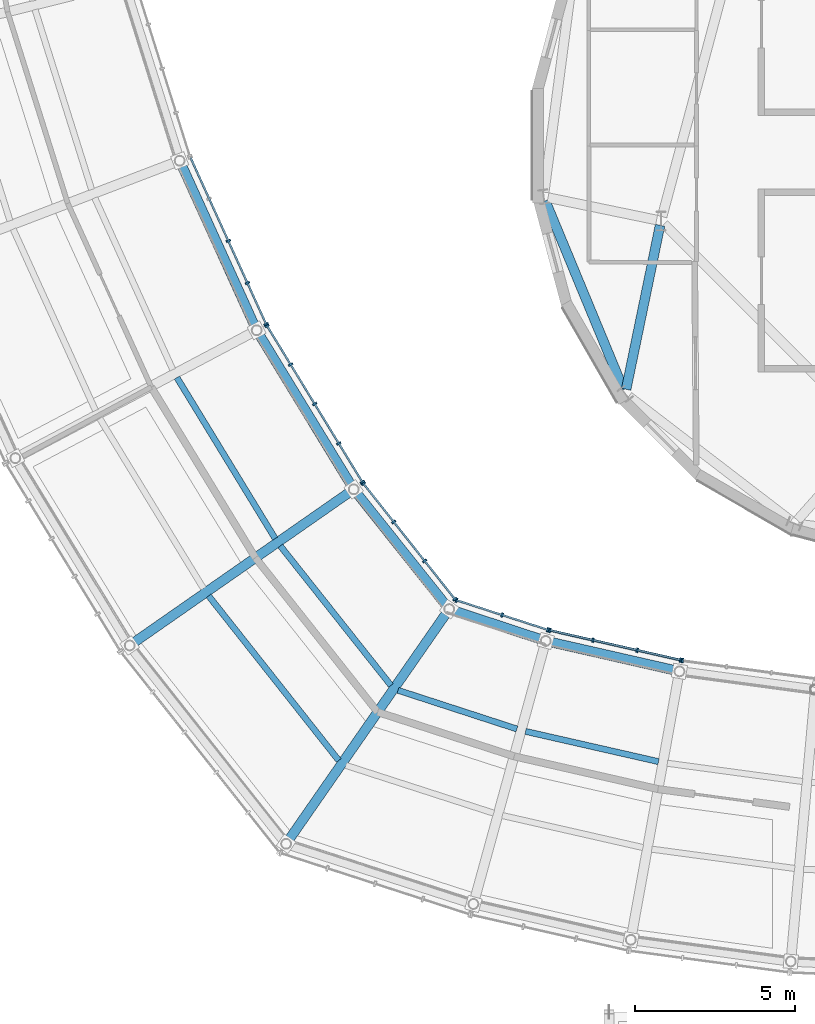
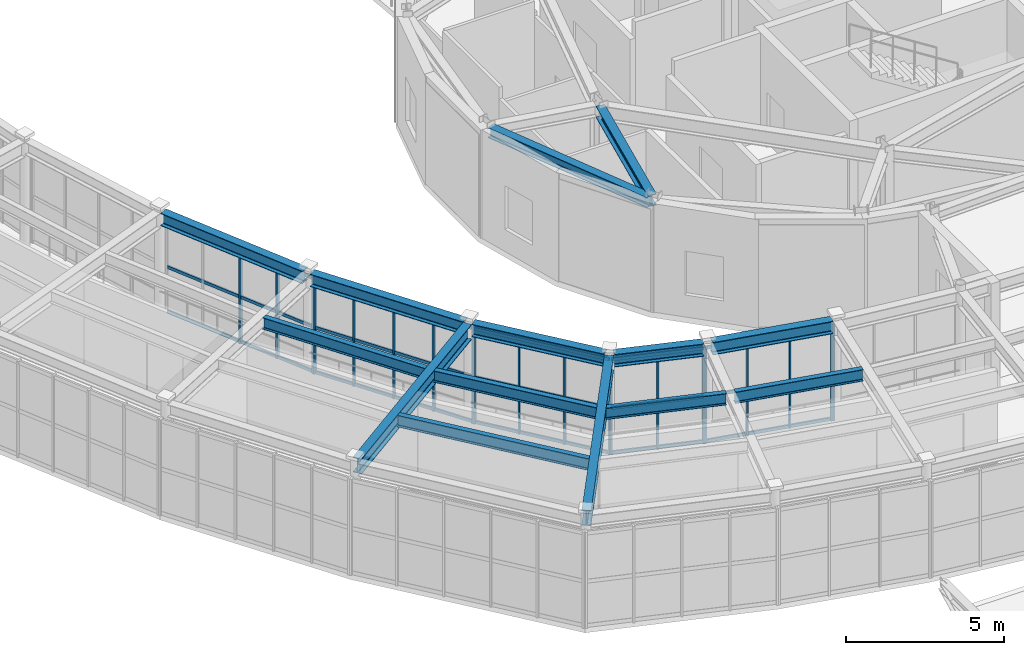
# One storey, part 20 of 103: 35 members, 14 beams, 6 elements without a shape of their own.
"""IFC4 building model written with IfcOpenShell, lengths in metres."""

import ifcopenshell
import ifcopenshell.guid

model = None  # the IFC model being written
_history = None  # IfcOwnerHistory: only IFC2X3 demands one
_inside = {}  # id of a spatial element -> (the spatial element, [elements in it])
_under = {}  # id of a project, library or spatial element -> (it, [spatial elements below it])
_declared = {}  # id of a project -> (the project, [libraries it declares])
_typed = {}  # id of a type object -> (the type object, [elements of that type])
_made_of = {}  # id of a material, layer set ... -> (it, [elements and type objects made of it])


def new_model(schema):
    """Start an empty IFC model of exactly this schema.

    Asked for "IFC4X3", IfcOpenShell would pick the latest addendum, in which some entities
    have other attributes; the version numbers below select the first issue.
    IFC2X3 requires an IfcOwnerHistory on every rooted entity: one is made here for all.
    """
    global model, _history
    if schema == "IFC4X3":
        model = ifcopenshell.file(schema_version=(4, 3, 0, 0))
    else:
        model = ifcopenshell.file(schema=schema)
    _inside.clear()
    _under.clear()
    _declared.clear()
    _typed.clear()
    _made_of.clear()
    _history = None
    if model.schema == "IFC2X3":
        org = make("IfcOrganization", Name="unknown")
        user = make(
            "IfcPersonAndOrganization",
            ThePerson=make("IfcPerson", FamilyName="unknown"),
            TheOrganization=org,
        )
        app = make(
            "IfcApplication",
            ApplicationDeveloper=org,
            Version="unknown",
            ApplicationFullName="unknown",
            ApplicationIdentifier="unknown",
        )
        _history = make(
            "IfcOwnerHistory",
            OwningUser=user,
            OwningApplication=app,
            ChangeAction="ADDED",
            CreationDate=0,
        )
    return model


def make(cls, **values):
    """One entity of the class cls with the attributes given. An attribute that is None is left unset."""
    return model.create_entity(
        cls, **{name: value for name, value in values.items() if value is not None}
    )


def rooted(cls, **values):
    """An entity with a GlobalId (a new one), such as an element, a storey or a relation."""
    return make(cls, GlobalId=ifcopenshell.guid.new(), OwnerHistory=_history, **values)


def si_unit(unit_type, name, prefix=None):
    """IfcSIUnit, for example si_unit("LENGTHUNIT", "METRE", prefix="MILLI")."""
    return make("IfcSIUnit", UnitType=unit_type, Prefix=prefix, Name=name)


def assignment(units):
    """IfcUnitAssignment: the units of a project."""
    return None if units is None else make("IfcUnitAssignment", Units=units)


def point(xyz):
    """IfcCartesianPoint."""
    return None if xyz is None else make("IfcCartesianPoint", Coordinates=xyz)


def direction(xyz):
    """IfcDirection."""
    return None if xyz is None else make("IfcDirection", DirectionRatios=xyz)


def frame(location, z_axis=None, x_axis=None):
    """IfcAxis2Placement3D, a coordinate frame: its origin and axes. An axis left out is left unset."""
    return make(
        "IfcAxis2Placement3D",
        Location=point(location),
        Axis=direction(z_axis),
        RefDirection=direction(x_axis),
    )


def frame_2d(location, x_axis=None):
    """IfcAxis2Placement2D, a coordinate frame in the plane: its origin and x axis."""
    return make(
        "IfcAxis2Placement2D", Location=point(location), RefDirection=direction(x_axis)
    )


def origin():
    """The frame at (0, 0, 0) with its axes left unset."""
    return frame((0.0, 0.0, 0.0))


def origin_2d():
    """The frame at (0, 0) in the plane with its x axis left unset."""
    return frame_2d((0.0, 0.0))


def place(relative_to, where):
    """IfcLocalPlacement: puts the frame where relative to a parent placement (None: the world)."""
    return make(
        "IfcLocalPlacement", PlacementRelTo=relative_to, RelativePlacement=where
    )


def context(
    kind, dimensions, precision=None, world=None, true_north=None, identifier=None
):
    """IfcGeometricRepresentationContext, for example the 3D "Model" context."""
    return make(
        "IfcGeometricRepresentationContext",
        ContextIdentifier=identifier,
        ContextType=kind,
        CoordinateSpaceDimension=dimensions,
        Precision=precision,
        WorldCoordinateSystem=world,
        TrueNorth=true_north,
    )


def subcontext(parent, identifier, kind, view, scale=None):
    """IfcGeometricRepresentationSubContext, for example "Body" below "Model"."""
    return make(
        "IfcGeometricRepresentationSubContext",
        ContextIdentifier=identifier,
        ContextType=kind,
        ParentContext=parent,
        TargetScale=scale,
        TargetView=view,
    )


def project(units=None, contexts=None):
    """IfcProject with its units and contexts."""
    return rooted(
        "IfcProject",
        Name="project",
        RepresentationContexts=contexts,
        UnitsInContext=assignment(units),
    )


def spatial(cls, under=None, at=None, **own):
    """A site, building, storey or space (cls), placed at a placement, below another one or the project."""
    s = rooted(cls, ObjectPlacement=at, **own)
    if under is not None:
        _under.setdefault(under.id(), (under, []))[1].append(s)
    return s


def profile(cls, at=None, kind="AREA", **sizes):
    """A parametric profile (cls). Its sizes go by their IFC names, for example OverallWidth=200.0."""
    return make(cls, ProfileType=kind, Position=at, **sizes)


def rectangle(**sizes):
    """IfcRectangleProfileDef."""
    return profile("IfcRectangleProfileDef", **sizes)


def i_section(**sizes):
    """IfcIShapeProfileDef."""
    return profile("IfcIShapeProfileDef", **sizes)


def extrude(swept, where, along, depth):
    """IfcExtrudedAreaSolid: the profile swept, set in the frame where, extruded along a direction by depth."""
    return make(
        "IfcExtrudedAreaSolid",
        SweptArea=swept,
        Position=where,
        ExtrudedDirection=direction(along),
        Depth=depth,
    )


def shape(context_of_items, identifier, shape_type, items):
    """IfcShapeRepresentation: the items that make up one representation, for example the "Body"."""
    return make(
        "IfcShapeRepresentation",
        ContextOfItems=context_of_items,
        RepresentationIdentifier=identifier,
        RepresentationType=shape_type,
        Items=items,
    )


def material(Name=None, Category=None):
    """IfcMaterial."""
    return make("IfcMaterial", Name=Name, Category=Category)


def material_profile(
    of_material, cross_section, Name=None, Category=None, Priority=None
):
    """IfcMaterialProfile: a cross section and its material."""
    return make(
        "IfcMaterialProfile",
        Name=Name,
        Material=of_material,
        Profile=cross_section,
        Priority=Priority,
        Category=Category,
    )


def profile_set(profiles, Name=None, composite=None):
    """IfcMaterialProfileSet."""
    return make(
        "IfcMaterialProfileSet",
        Name=Name,
        MaterialProfiles=profiles,
        CompositeProfile=composite,
    )


def made_of(thing, what):
    """Note that an element or type object is made of a material, layer set ...; save() writes the relation."""
    if what is not None:
        _made_of.setdefault(what.id(), (what, []))[1].append(thing)
    return thing


def type_object(cls, material=None, **own):
    """A type object (cls), such as IfcWallType, which elements share."""
    return made_of(rooted(cls, **own), material)


def element(
    cls,
    number,
    at=None,
    inside=None,
    cuts=None,
    type_object=None,
    material=None,
    context=None,
    identifier="Body",
    shape_type=None,
    held_by="IfcProductDefinitionShape",
    body=None,
    shapes=None,
    **own,
):
    """One element of the class cls, such as IfcWall. Its Tag is "e" and its number.

    at: its placement. inside: the storey or other place that contains it. cuts: it is an
    opening in that element (IfcRelVoidsElement). A single representation is given by context,
    identifier, shape_type and body (its items); several are given by shapes. held_by: the class
    of the entity that holds the representations. save() writes the other relations.
    """
    e = rooted(cls, Tag="e%d" % number, ObjectPlacement=at, **own)
    if body is not None:
        shapes = [shape(context, identifier, shape_type, body)]
    if shapes is not None:
        e.Representation = make(held_by, Representations=shapes)
    if inside is not None:
        _inside.setdefault(inside.id(), (inside, []))[1].append(e)
    if cuts is not None:
        rooted(
            "IfcRelVoidsElement", RelatingBuildingElement=cuts, RelatedOpeningElement=e
        )
    if type_object is not None:
        _typed.setdefault(type_object.id(), (type_object, []))[1].append(e)
    return made_of(e, material)


def aggregate(whole, parts):
    """IfcRelAggregates: a whole, such as a stair, and the parts it consists of."""
    return rooted("IfcRelAggregates", RelatingObject=whole, RelatedObjects=parts)


def save(model, path):
    """Write the relations noted so far, then the file.

    IfcRelAggregates (storeys below a building ...), IfcRelContainedInSpatialStructure (elements
    in a storey), IfcRelDefinesByType, IfcRelAssociatesMaterial and IfcRelDeclares: one each for
    every whole, place, type object, material and project.
    """
    for whole, parts in _under.values():
        aggregate(whole, parts)
    for where, things in _inside.values():
        rooted(
            "IfcRelContainedInSpatialStructure",
            RelatedElements=things,
            RelatingStructure=where,
        )
    for kind, things in _typed.values():
        rooted("IfcRelDefinesByType", RelatedObjects=things, RelatingType=kind)
    for what, things in _made_of.values():
        rooted("IfcRelAssociatesMaterial", RelatedObjects=things, RelatingMaterial=what)
    for by, libraries in _declared.values():
        rooted("IfcRelDeclares", RelatingContext=by, RelatedDefinitions=libraries)
    model.write(path)


model = new_model("IFC4")

# Units and contexts
model_context = context("Model", 3, precision=1e-05, world=origin(), true_north=direction((0.0, 1.0)))
body_context = subcontext(model_context, "Body", "Model", "MODEL_VIEW")
ifc_project = project(units=[si_unit("LENGTHUNIT", "METRE"), si_unit("AREAUNIT", "SQUARE_METRE"), si_unit("VOLUMEUNIT", "CUBIC_METRE"), si_unit("PLANEANGLEUNIT", "RADIAN"), si_unit("MASSUNIT", "GRAM", prefix="KILO")], contexts=[model_context])

# Site, building, storey
site_placement = place(None, origin())
site = spatial("IfcSite", under=ifc_project, at=site_placement, CompositionType="ELEMENT")
building_placement = place(site_placement, origin())
building = spatial("IfcBuilding", under=site, at=building_placement, Name="Varnklinge Art Gallery", CompositionType="ELEMENT")
storey_placement = place(building_placement, frame((0.0, 0.0, 5.10009765625)))
storey = spatial("IfcBuildingStorey", under=building, at=storey_placement, Name="L01", CompositionType="ELEMENT", Elevation=5.10009765625)

# Beams
ifc_material_1 = material(Name="Steel S355", Category="steel")
ifc_material_profile_1 = material_profile(ifc_material_1, i_section(OverallWidth=0.300048828125, OverallDepth=0.590087890625, WebThickness=0.012939453125, FlangeThickness=0.02490234375, FilletRadius=0.027099609375, at=origin_2d()), Name="HEA 600")
ifc_profile_set_1 = profile_set([ifc_material_profile_1], Name="Steel S355")
beam_type_1 = type_object("IfcBeamType", Name="BM-06", PredefinedType="BEAM", material=ifc_profile_set_1)
beam_1_placement = place(storey_placement, frame((49.96484375, 22.9052734375, 3.885009765625), z_axis=(0.820324852304, 0.571897837635, 0.0), x_axis=(-0.571897837635, 0.820324852304, 0.0)))
element("IfcBeam", 1, at=beam_1_placement, inside=storey, type_object=beam_type_1, Name="L01 BM-06 BM-V2-L02-R32", PredefinedType="BEAM", context=body_context, shape_type="SweptSolid", body=[
    extrude(i_section(OverallWidth=0.300048828125, OverallDepth=0.590087890625, WebThickness=0.012939453125, FlangeThickness=0.02490234375, FilletRadius=0.027099609375, at=origin_2d()), origin(), (0.0, 0.0, 1.0), 8.2373046875),
])
beam_2_placement = place(storey_placement, frame((54.80908203125, 16.755126953125, 3.885009765625), z_axis=(0.570588727281, 0.821235961402, 0.0), x_axis=(-0.821235961402, 0.570588727281, 0.0)))
element("IfcBeam", 2, at=beam_2_placement, inside=storey, type_object=beam_type_1, Name="L01 BM-06 BM-V2-L02-R33", PredefinedType="BEAM", context=body_context, shape_type="SweptSolid", body=[
    extrude(i_section(OverallWidth=0.300048828125, OverallDepth=0.590087890625, WebThickness=0.012939453125, FlangeThickness=0.02490234375, FilletRadius=0.027099609375, at=origin_2d()), origin(), (0.0, 0.0, 1.0), 8.6318359375),
])
ifc_material_2 = material(Name="Steel S355", Category="steel")
ifc_material_profile_2 = material_profile(ifc_material_2, i_section(OverallWidth=0.300048828125, OverallDepth=0.43994140625, WebThickness=0.011474609375, FlangeThickness=0.02099609375, FilletRadius=0.027099609375, at=origin_2d()), Name="HEA 450")
ifc_profile_set_2 = profile_set([ifc_material_profile_2], Name="Steel S355")
beam_type_2 = type_object("IfcBeamType", Name="BM-08", PredefinedType="BEAM", material=ifc_profile_set_2)
beam_3_placement = place(storey_placement, frame((66.391845703125, 35.929931640625, 3.97998046875), z_axis=(-0.202556149381, -0.979270650202, 0.0), x_axis=(0.979270650202, -0.202556149381, 0.0)))
element("IfcBeam", 3, at=beam_3_placement, inside=storey, type_object=beam_type_2, Name="L01 BM-08 BM-V4D-L02-R08", PredefinedType="BEAM", context=body_context, shape_type="SweptSolid", body=[
    extrude(i_section(OverallWidth=0.300048828125, OverallDepth=0.43994140625, WebThickness=0.011474609375, FlangeThickness=0.02099609375, FilletRadius=0.027099609375, at=origin_2d()), origin(), (0.0, 0.0, 1.0), 5.223876953125),
])
ifc_material_3 = material(Name="Steel S355", Category="steel")
ifc_material_profile_3 = material_profile(ifc_material_3, i_section(OverallWidth=0.18994140625, OverallDepth=0.449951171875, WebThickness=0.009521484375, FlangeThickness=0.0146484375, FilletRadius=0.02099609375, at=origin_2d()), Name="IPE 450")
ifc_profile_set_3 = profile_set([ifc_material_profile_3], Name="Steel S355")
beam_type_3 = type_object("IfcBeamType", Name="JST-04", PredefinedType="JOIST", material=ifc_profile_set_3)
beam_4_placement = place(storey_placement, frame((51.32421875, 31.180419921875, 3.954833984375), z_axis=(0.520951279717, -0.853586412826, 0.0), x_axis=(0.853586412826, 0.520951279717, 0.0)))
element("IfcBeam", 4, at=beam_4_placement, inside=storey, type_object=beam_type_3, Name="L01 JST-04 JST-V2-L02-31-2", PredefinedType="JOIST", context=body_context, shape_type="SweptSolid", body=[
    extrude(i_section(OverallWidth=0.18994140625, OverallDepth=0.449951171875, WebThickness=0.009521484375, FlangeThickness=0.0146484375, FilletRadius=0.02099609375, at=origin_2d()), origin(), (0.0, 0.0, 1.0), 5.8818359375),
])
beam_5_placement = place(storey_placement, frame((52.3125, 24.37158203125, 3.954833984375), z_axis=(0.620207823033, -0.784437541331, 0.0), x_axis=(0.784437541331, 0.620207823033, 0.0)))
element("IfcBeam", 5, at=beam_5_placement, inside=storey, type_object=beam_type_3, Name="L01 JST-04 JST-V2-L02-32-1", PredefinedType="JOIST", context=body_context, shape_type="SweptSolid", body=[
    extrude(i_section(OverallWidth=0.18994140625, OverallDepth=0.449951171875, WebThickness=0.009521484375, FlangeThickness=0.0146484375, FilletRadius=0.02099609375, at=origin_2d()), origin(), (0.0, 0.0, 1.0), 6.5439453125),
])
beam_6_placement = place(storey_placement, frame((54.54833984375, 25.930419921875, 3.954833984375), z_axis=(0.621380748712, -0.783508752427, 0.0), x_axis=(0.783508752427, 0.621380748712, 0.0)))
element("IfcBeam", 6, at=beam_6_placement, inside=storey, type_object=beam_type_3, Name="L01 JST-04 JST-V2-L02-32-2", PredefinedType="JOIST", context=body_context, shape_type="SweptSolid", body=[
    extrude(i_section(OverallWidth=0.18994140625, OverallDepth=0.449951171875, WebThickness=0.009521484375, FlangeThickness=0.0146484375, FilletRadius=0.02099609375, at=origin_2d()), origin(), (0.0, 0.0, 1.0), 5.552001953125),
])
beam_7_placement = place(storey_placement, frame((58.218505859375, 21.42724609375, 3.954833984375), z_axis=(0.950949393045, -0.309346491603, 0.0), x_axis=(0.309346491603, 0.950949393045, 0.0)))
element("IfcBeam", 7, at=beam_7_placement, inside=storey, type_object=beam_type_3, Name="L01 JST-04 JST-V2-L02-33-2", PredefinedType="JOIST", context=body_context, shape_type="SweptSolid", body=[
    extrude(i_section(OverallWidth=0.18994140625, OverallDepth=0.449951171875, WebThickness=0.009521484375, FlangeThickness=0.0146484375, FilletRadius=0.02099609375, at=origin_2d()), origin(), (0.0, 0.0, 1.0), 3.900390625),
])
beam_8_placement = place(storey_placement, frame((62.197265625, 20.146240234375, 3.954833984375), z_axis=(0.975058358995, -0.221948634943, 0.0), x_axis=(0.221948634943, 0.975058358995, 0.0)))
element("IfcBeam", 8, at=beam_8_placement, inside=storey, type_object=beam_type_3, Name="L01 JST-04 JST-V2-L02-34-2", PredefinedType="JOIST", context=body_context, shape_type="SweptSolid", body=[
    extrude(i_section(OverallWidth=0.18994140625, OverallDepth=0.449951171875, WebThickness=0.009521484375, FlangeThickness=0.0146484375, FilletRadius=0.02099609375, at=origin_2d()), origin(), (0.0, 0.0, 1.0), 4.25244140625),
])

# Curtain wall, members
ifc_material_4 = material(Name="Anodised Aluminium", Category="aluminium")
curtain_wall_type = type_object("IfcCurtainWallType", Name="CW-R04", PredefinedType="USERDEFINED", material=ifc_material_4)
curtain_wall_1_placement = place(storey_placement, origin())
curtain_wall_1 = element("IfcCurtainWall", 9, at=curtain_wall_1_placement, inside=storey, type_object=curtain_wall_type, Name="L01 Curtain Wall CW-V2I-L01-30", ObjectType="UNITISED CURTAIN WALL", PredefinedType="USERDEFINED")
ifc_material_5 = material(Name="Anodised Aluminium", Category="aluminium")
ifc_material_profile_4 = material_profile(ifc_material_5, rectangle(XDim=0.06005859375, YDim=0.139892578125, at=origin_2d()), Name="ALU 60x140")
ifc_profile_set_4 = profile_set([ifc_material_profile_4], Name="Anodised Aluminium")
member_type_1 = type_object("IfcMemberType", Name="MUL-03", PredefinedType="MULLION", material=ifc_profile_set_4)
member_1_placement = place(storey_placement, frame((54.107421875, 32.846435546875, 0.0), z_axis=(0.0, 0.0, 1.0), x_axis=(-0.413422293217, 0.910539404678, 0.0)))
member_1 = element("IfcMember", 10, at=member_1_placement, type_object=member_type_1, Name="CW-V2I-L01-30 Mullion 1", PredefinedType="MULLION", context=body_context, shape_type="SweptSolid", body=[
    extrude(rectangle(XDim=0.06005859375, YDim=0.139892578125, at=origin_2d()), origin(), (0.0, 0.0, 1.0), 3.72998046875),
])
member_2_placement = place(storey_placement, frame((53.523681640625, 34.132080078125, 0.0), z_axis=(0.0, 0.0, 1.0), x_axis=(-0.413422293217, 0.910539404678, 0.0)))
member_2 = element("IfcMember", 11, at=member_2_placement, type_object=member_type_1, Name="CW-V2I-L01-30 Mullion 2", PredefinedType="MULLION", context=body_context, shape_type="SweptSolid", body=[
    extrude(rectangle(XDim=0.06005859375, YDim=0.139892578125, at=origin_2d()), origin(), (0.0, 0.0, 1.0), 3.72998046875),
])
member_3_placement = place(storey_placement, frame((52.927490234375, 35.44482421875, 0.0), z_axis=(0.0, 0.0, 1.0), x_axis=(-0.413422293217, 0.910539404678, 0.0)))
member_3 = element("IfcMember", 12, at=member_3_placement, type_object=member_type_1, Name="CW-V2I-L01-30 Mullion 3", PredefinedType="MULLION", context=body_context, shape_type="SweptSolid", body=[
    extrude(rectangle(XDim=0.06005859375, YDim=0.139892578125, at=origin_2d()), origin(), (0.0, 0.0, 1.0), 3.72998046875),
])

curtain_wall_2_placement = place(storey_placement, origin())
curtain_wall_2 = element("IfcCurtainWall", 13, at=curtain_wall_2_placement, inside=storey, type_object=curtain_wall_type, Name="L01 Curtain Wall CW-V2I-L01-31", ObjectType="UNITISED CURTAIN WALL", PredefinedType="USERDEFINED")
member_4_placement = place(storey_placement, frame((57.1083984375, 27.922119140625, 0.0), z_axis=(0.0, 0.0, 1.0), x_axis=(-0.520860651188, 0.85364171761, 0.0)))
member_4 = element("IfcMember", 14, at=member_4_placement, type_object=member_type_1, Name="CW-V2I-L01-31 Mullion 1", PredefinedType="MULLION", context=body_context, shape_type="SweptSolid", body=[
    extrude(rectangle(XDim=0.06005859375, YDim=0.139892578125, at=origin_2d()), origin(), (0.0, 0.0, 1.0), 3.72998046875),
])
member_5_placement = place(storey_placement, frame((56.372802734375, 29.127197265625, 0.0), z_axis=(0.0, 0.0, 1.0), x_axis=(-0.520860651188, 0.85364171761, 0.0)))
member_5 = element("IfcMember", 15, at=member_5_placement, type_object=member_type_1, Name="CW-V2I-L01-31 Mullion 2", PredefinedType="MULLION", context=body_context, shape_type="SweptSolid", body=[
    extrude(rectangle(XDim=0.06005859375, YDim=0.139892578125, at=origin_2d()), origin(), (0.0, 0.0, 1.0), 3.72998046875),
])
member_6_placement = place(storey_placement, frame((55.621826171875, 30.35791015625, 0.0), z_axis=(0.0, 0.0, 1.0), x_axis=(-0.520860651188, 0.85364171761, 0.0)))
member_6 = element("IfcMember", 16, at=member_6_placement, type_object=member_type_1, Name="CW-V2I-L01-31 Mullion 3", PredefinedType="MULLION", context=body_context, shape_type="SweptSolid", body=[
    extrude(rectangle(XDim=0.06005859375, YDim=0.139892578125, at=origin_2d()), origin(), (0.0, 0.0, 1.0), 3.72998046875),
])
member_7_placement = place(storey_placement, frame((54.870849609375, 31.58837890625, 0.0), z_axis=(0.0, 0.0, 1.0), x_axis=(-0.520860651188, 0.85364171761, 0.0)))
member_7 = element("IfcMember", 17, at=member_7_placement, type_object=member_type_1, Name="CW-V2I-L01-31 Mullion 4", PredefinedType="MULLION", context=body_context, shape_type="SweptSolid", body=[
    extrude(rectangle(XDim=0.06005859375, YDim=0.139892578125, at=origin_2d()), origin(), (0.0, 0.0, 1.0), 3.72998046875),
])
member_8_placement = place(storey_placement, frame((54.13525390625, 32.793701171875, 0.0), z_axis=(0.0, 0.0, 1.0), x_axis=(-0.520860651188, 0.85364171761, 0.0)))
member_8 = element("IfcMember", 18, at=member_8_placement, type_object=member_type_1, Name="CW-V2I-L01-31 Mullion 5", PredefinedType="MULLION", context=body_context, shape_type="SweptSolid", body=[
    extrude(rectangle(XDim=0.06005859375, YDim=0.139892578125, at=origin_2d()), origin(), (0.0, 0.0, 1.0), 3.72998046875),
])

curtain_wall_3_placement = place(storey_placement, origin())
curtain_wall_3 = element("IfcCurtainWall", 19, at=curtain_wall_3_placement, inside=storey, type_object=curtain_wall_type, Name="L01 Curtain Wall CW-V2I-L01-32", ObjectType="UNITISED CURTAIN WALL", PredefinedType="USERDEFINED")
member_9_placement = place(storey_placement, frame((59.995361328125, 24.27001953125, 0.0), z_axis=(0.0, 0.0, 1.0), x_axis=(-0.620737354217, 0.784018582101, 0.0)))
member_9 = element("IfcMember", 20, at=member_9_placement, type_object=member_type_1, Name="CW-V2I-L01-32 Mullion 1", PredefinedType="MULLION", context=body_context, shape_type="SweptSolid", body=[
    extrude(rectangle(XDim=0.06005859375, YDim=0.139892578125, at=origin_2d()), origin(), (0.0, 0.0, 1.0), 3.72998046875),
])
member_10_placement = place(storey_placement, frame((59.05078125, 25.463134765625, 0.0), z_axis=(0.0, 0.0, 1.0), x_axis=(-0.620737354217, 0.784018582101, 0.0)))
member_10 = element("IfcMember", 21, at=member_10_placement, type_object=member_type_1, Name="CW-V2I-L01-32 Mullion 2", PredefinedType="MULLION", context=body_context, shape_type="SweptSolid", body=[
    extrude(rectangle(XDim=0.06005859375, YDim=0.139892578125, at=origin_2d()), origin(), (0.0, 0.0, 1.0), 3.72998046875),
])
member_11_placement = place(storey_placement, frame((58.08740234375, 26.6796875, 0.0), z_axis=(0.0, 0.0, 1.0), x_axis=(-0.620737354217, 0.784018582101, 0.0)))
member_11 = element("IfcMember", 22, at=member_11_placement, type_object=member_type_1, Name="CW-V2I-L01-32 Mullion 3", PredefinedType="MULLION", context=body_context, shape_type="SweptSolid", body=[
    extrude(rectangle(XDim=0.06005859375, YDim=0.139892578125, at=origin_2d()), origin(), (0.0, 0.0, 1.0), 3.72998046875),
])
member_12_placement = place(storey_placement, frame((57.142578125, 27.872802734375, 0.0), z_axis=(0.0, 0.0, 1.0), x_axis=(-0.620737354217, 0.784018582101, 0.0)))
member_12 = element("IfcMember", 23, at=member_12_placement, type_object=member_type_1, Name="CW-V2I-L01-32 Mullion 4", PredefinedType="MULLION", context=body_context, shape_type="SweptSolid", body=[
    extrude(rectangle(XDim=0.06005859375, YDim=0.139892578125, at=origin_2d()), origin(), (0.0, 0.0, 1.0), 3.72998046875),
])

curtain_wall_4_placement = place(storey_placement, origin())
curtain_wall_4 = element("IfcCurtainWall", 24, at=curtain_wall_4_placement, inside=storey, type_object=curtain_wall_type, Name="L01 Curtain Wall CW-V2I-L01-33", ObjectType="UNITISED CURTAIN WALL", PredefinedType="USERDEFINED")
member_13_placement = place(storey_placement, frame((62.892822265625, 23.3134765625, 0.0), z_axis=(0.0, 0.0, 1.0), x_axis=(-0.951272019071, 0.30835295642, 0.0)))
member_13 = element("IfcMember", 25, at=member_13_placement, type_object=member_type_1, Name="CW-V2I-L01-33 Mullion 1", PredefinedType="MULLION", context=body_context, shape_type="SweptSolid", body=[
    extrude(rectangle(XDim=0.06005859375, YDim=0.139892578125, at=origin_2d()), origin(), (0.0, 0.0, 1.0), 3.72998046875),
])
member_14_placement = place(storey_placement, frame((61.4677734375, 23.775390625, 0.0), z_axis=(0.0, 0.0, 1.0), x_axis=(-0.951272019071, 0.30835295642, 0.0)))
member_14 = element("IfcMember", 26, at=member_14_placement, type_object=member_type_1, Name="CW-V2I-L01-33 Mullion 2", PredefinedType="MULLION", context=body_context, shape_type="SweptSolid", body=[
    extrude(rectangle(XDim=0.06005859375, YDim=0.139892578125, at=origin_2d()), origin(), (0.0, 0.0, 1.0), 3.72998046875),
])
member_15_placement = place(storey_placement, frame((60.04248046875, 24.2373046875, 0.0), z_axis=(0.0, 0.0, 1.0), x_axis=(-0.951272019071, 0.30835295642, 0.0)))
member_15 = element("IfcMember", 27, at=member_15_placement, type_object=member_type_1, Name="CW-V2I-L01-33 Mullion 3", PredefinedType="MULLION", context=body_context, shape_type="SweptSolid", body=[
    extrude(rectangle(XDim=0.06005859375, YDim=0.139892578125, at=origin_2d()), origin(), (0.0, 0.0, 1.0), 3.72998046875),
])

curtain_wall_5_placement = place(storey_placement, origin())
curtain_wall_5 = element("IfcCurtainWall", 28, at=curtain_wall_5_placement, inside=storey, type_object=curtain_wall_type, Name="L01 Curtain Wall CW-V2I-L01-34", ObjectType="UNITISED CURTAIN WALL", PredefinedType="USERDEFINED")
member_16_placement = place(storey_placement, frame((67.028564453125, 22.369384765625, 0.0), z_axis=(0.0, 0.0, 1.0), x_axis=(-0.975071959883, 0.221888875454, 0.0)))
member_16 = element("IfcMember", 29, at=member_16_placement, type_object=member_type_1, Name="CW-V2I-L01-34 Mullion 1", PredefinedType="MULLION", context=body_context, shape_type="SweptSolid", body=[
    extrude(rectangle(XDim=0.06005859375, YDim=0.139892578125, at=origin_2d()), origin(), (0.0, 0.0, 1.0), 3.72998046875),
])
member_17_placement = place(storey_placement, frame((65.67919921875, 22.676513671875, 0.0), z_axis=(0.0, 0.0, 1.0), x_axis=(-0.975071959883, 0.221888875454, 0.0)))
member_17 = element("IfcMember", 30, at=member_17_placement, type_object=member_type_1, Name="CW-V2I-L01-34 Mullion 2", PredefinedType="MULLION", context=body_context, shape_type="SweptSolid", body=[
    extrude(rectangle(XDim=0.06005859375, YDim=0.139892578125, at=origin_2d()), origin(), (0.0, 0.0, 1.0), 3.72998046875),
])
member_18_placement = place(storey_placement, frame((64.30029296875, 22.990234375, 0.0), z_axis=(0.0, 0.0, 1.0), x_axis=(-0.975071959883, 0.221888875454, 0.0)))
member_18 = element("IfcMember", 31, at=member_18_placement, type_object=member_type_1, Name="CW-V2I-L01-34 Mullion 3", PredefinedType="MULLION", context=body_context, shape_type="SweptSolid", body=[
    extrude(rectangle(XDim=0.06005859375, YDim=0.139892578125, at=origin_2d()), origin(), (0.0, 0.0, 1.0), 3.72998046875),
])
member_19_placement = place(storey_placement, frame((62.95068359375, 23.297607421875, 0.0), z_axis=(0.0, 0.0, 1.0), x_axis=(-0.975071959883, 0.221888875454, 0.0)))
member_19 = element("IfcMember", 32, at=member_19_placement, type_object=member_type_1, Name="CW-V2I-L01-34 Mullion 4", PredefinedType="MULLION", context=body_context, shape_type="SweptSolid", body=[
    extrude(rectangle(XDim=0.06005859375, YDim=0.139892578125, at=origin_2d()), origin(), (0.0, 0.0, 1.0), 3.72998046875),
])

# Curtain wall, member
curtain_wall_6_placement = place(storey_placement, origin())
curtain_wall_6 = element("IfcCurtainWall", 33, at=curtain_wall_6_placement, inside=storey, type_object=curtain_wall_type, Name="L01 Curtain Wall CW-V2I-L01-35", ObjectType="UNITISED CURTAIN WALL", PredefinedType="USERDEFINED")
member_20_placement = place(storey_placement, frame((67.087646484375, 22.358642578125, 0.0), z_axis=(0.0, 0.0, 1.0), x_axis=(-0.990983199715, 0.133986185418, 0.0)))
member_20 = element("IfcMember", 34, at=member_20_placement, type_object=member_type_1, Name="CW-V2I-L01-35 Mullion 4", PredefinedType="MULLION", context=body_context, shape_type="SweptSolid", body=[
    extrude(rectangle(XDim=0.06005859375, YDim=0.139892578125, at=origin_2d()), origin(), (0.0, 0.0, 1.0), 3.72998046875),
])
aggregate(curtain_wall_6, [member_20])

# Beams
ifc_material_6 = material(Name="Steel S355", Category="steel")
ifc_material_profile_5 = material_profile(ifc_material_6, i_section(OverallWidth=0.300048828125, OverallDepth=0.489990234375, WebThickness=0.011962890625, FlangeThickness=0.02294921875, FilletRadius=0.027099609375, at=origin_2d()), Name="HEA 500")
ifc_profile_set_5 = profile_set([ifc_material_profile_5], Name="Steel S355")
beam_type_4 = type_object("IfcBeamType", Name="SPB-01", PredefinedType="SPANDREL", material=ifc_profile_set_5)
beam_9_placement = place(storey_placement, frame((51.466552734375, 37.81787109375, 3.934814453125), z_axis=(0.413397065821, -0.910550858531, 0.0), x_axis=(0.910550858531, 0.413397065821, 0.0)))
element("IfcBeam", 35, at=beam_9_placement, inside=storey, type_object=beam_type_4, Name="L01 SPB-01 BM-V2-L02-I30", PredefinedType="SPANDREL", context=body_context, shape_type="SweptSolid", body=[
    extrude(i_section(OverallWidth=0.300048828125, OverallDepth=0.489990234375, WebThickness=0.011962890625, FlangeThickness=0.02294921875, FilletRadius=0.027099609375, at=origin_2d()), origin(), (0.0, 0.0, 1.0), 5.529541015625),
])
beam_10_placement = place(storey_placement, frame((53.88330078125, 32.535888671875, 3.934814453125), z_axis=(0.520928443414, -0.853600349603, 0.0), x_axis=(0.853600349603, 0.520928443414, 0.0)))
element("IfcBeam", 36, at=beam_10_placement, inside=storey, type_object=beam_type_4, Name="L01 SPB-01 BM-V2-L02-I31", PredefinedType="SPANDREL", context=body_context, shape_type="SweptSolid", body=[
    extrude(i_section(OverallWidth=0.300048828125, OverallDepth=0.489990234375, WebThickness=0.011962890625, FlangeThickness=0.02294921875, FilletRadius=0.027099609375, at=origin_2d()), origin(), (0.0, 0.0, 1.0), 5.52978515625),
])
beam_11_placement = place(storey_placement, frame((56.924072265625, 27.586669921875, 3.934814453125), z_axis=(0.623138348458, -0.782111628018, 0.0), x_axis=(0.782111628018, 0.623138348458, 0.0)))
element("IfcBeam", 37, at=beam_11_placement, inside=storey, type_object=beam_type_4, Name="L01 SPB-01 BM-V2-L02-I32", PredefinedType="SPANDREL", context=body_context, shape_type="SweptSolid", body=[
    extrude(i_section(OverallWidth=0.300048828125, OverallDepth=0.489990234375, WebThickness=0.011962890625, FlangeThickness=0.02294921875, FilletRadius=0.027099609375, at=origin_2d()), origin(), (0.0, 0.0, 1.0), 4.498046875),
])
beam_12_placement = place(storey_placement, frame((59.947265625, 23.915283203125, 3.934814453125), z_axis=(0.94984963517, -0.312707004347, 0.0), x_axis=(0.312707004347, 0.94984963517, 0.0)))
element("IfcBeam", 38, at=beam_12_placement, inside=storey, type_object=beam_type_4, Name="L01 SPB-01 BM-V2-L02-I33", PredefinedType="SPANDREL", context=body_context, shape_type="SweptSolid", body=[
    extrude(i_section(OverallWidth=0.300048828125, OverallDepth=0.489990234375, WebThickness=0.011962890625, FlangeThickness=0.02294921875, FilletRadius=0.027099609375, at=origin_2d()), origin(), (0.0, 0.0, 1.0), 2.893310546875),
])
beam_13_placement = place(storey_placement, frame((62.965087890625, 22.935791015625, 3.934814453125), z_axis=(0.975053526144, -0.221969865419, 0.0), x_axis=(0.221969865419, 0.975053526144, 0.0)))
element("IfcBeam", 39, at=beam_13_placement, inside=storey, type_object=beam_type_4, Name="L01 SPB-01 BM-V2-L02-I34", PredefinedType="SPANDREL", context=body_context, shape_type="SweptSolid", body=[
    extrude(i_section(OverallWidth=0.300048828125, OverallDepth=0.489990234375, WebThickness=0.011962890625, FlangeThickness=0.02294921875, FilletRadius=0.027099609375, at=origin_2d()), origin(), (0.0, 0.0, 1.0), 3.99365234375),
])
ifc_material_7 = material(Name="Steel S355", Category="steel")
ifc_material_profile_6 = material_profile(ifc_material_7, i_section(OverallWidth=0.300048828125, OverallDepth=0.389892578125, WebThickness=0.010986328125, FlangeThickness=0.01904296875, FilletRadius=0.027099609375, at=origin_2d()), Name="HEA 400")
ifc_profile_set_6 = profile_set([ifc_material_profile_6], Name="Steel S355")
beam_type_5 = type_object("IfcBeamType", Name="SPB-03", PredefinedType="SPANDREL", material=ifc_profile_set_6)
beam_14_placement = place(storey_placement, frame((62.8134765625, 36.693359375, 4.0048828125), z_axis=(0.382666510137, -0.923886541746, 0.0), x_axis=(0.923886541746, 0.382666510137, 0.0)))
element("IfcBeam", 40, at=beam_14_placement, inside=storey, type_object=beam_type_5, Name="L01 SPB-03 BM-V4D-L02-P07", PredefinedType="SPANDREL", context=body_context, shape_type="SweptSolid", body=[
    extrude(i_section(OverallWidth=0.300048828125, OverallDepth=0.389892578125, WebThickness=0.010986328125, FlangeThickness=0.01904296875, FilletRadius=0.027099609375, at=origin_2d()), origin(), (0.0, 0.0, 1.0), 6.37158203125),
])

# Member
ifc_material_8 = material(Name="Anodised Aluminium", Category="aluminium")
ifc_material_profile_7 = material_profile(ifc_material_8, rectangle(XDim=0.06005859375, YDim=0.1201171875, at=origin_2d()), Name="ALU 60x120")
ifc_profile_set_7 = profile_set([ifc_material_profile_7], Name="Anodised Aluminium")
member_type_2 = type_object("IfcMemberType", Name="TRN-02", PredefinedType="USERDEFINED", material=ifc_profile_set_7)
member_21_placement = place(storey_placement, frame((54.107421875, 32.846435546875, 0.059814453125), z_axis=(-0.413396814736, 0.910550972525, 0.0), x_axis=(-0.910550972525, -0.413396814736, 0.0)))
member_21 = element("IfcMember", 41, at=member_21_placement, type_object=member_type_2, Name="CW-V2I-L01-30 Transom 1", ObjectType="TRANSOM", PredefinedType="USERDEFINED", context=body_context, shape_type="SweptSolid", body=[
    extrude(rectangle(XDim=0.06005859375, YDim=0.1201171875, at=origin_2d()), origin(), (0.0, 0.0, 1.0), 5.707275390625),
])

member_22_placement = place(storey_placement, frame((54.107421875, 32.846435546875, 1.790283203125), z_axis=(-0.413396814736, 0.910550972525, 0.0), x_axis=(-0.910550972525, -0.413396814736, 0.0)))
member_22 = element("IfcMember", 42, at=member_22_placement, type_object=member_type_2, Name="CW-V2I-L01-30 Transom 2", ObjectType="TRANSOM", PredefinedType="USERDEFINED", context=body_context, shape_type="SweptSolid", body=[
    extrude(rectangle(XDim=0.06005859375, YDim=0.1201171875, at=origin_2d()), origin(), (0.0, 0.0, 1.0), 5.707275390625),
])

member_23_placement = place(storey_placement, frame((54.107421875, 32.846435546875, 3.669921875), z_axis=(-0.413396814736, 0.910550972525, 0.0), x_axis=(-0.910550972525, -0.413396814736, 0.0)))
member_23 = element("IfcMember", 43, at=member_23_placement, type_object=member_type_2, Name="CW-V2I-L01-30 Transom 3", ObjectType="TRANSOM", PredefinedType="USERDEFINED", context=body_context, shape_type="SweptSolid", body=[
    extrude(rectangle(XDim=0.06005859375, YDim=0.1201171875, at=origin_2d()), origin(), (0.0, 0.0, 1.0), 5.707275390625),
])

aggregate(curtain_wall_1, [member_1, member_2, member_3, member_21, member_22, member_23])

member_24_placement = place(storey_placement, frame((57.1083984375, 27.922119140625, 0.059814453125), z_axis=(-0.520948121202, 0.853588340488, 0.0), x_axis=(-0.853588340488, -0.520948121202, 0.0)))
member_24 = element("IfcMember", 44, at=member_24_placement, type_object=member_type_2, Name="CW-V2I-L01-31 Transom 1", ObjectType="TRANSOM", PredefinedType="USERDEFINED", context=body_context, shape_type="SweptSolid", body=[
    extrude(rectangle(XDim=0.06005859375, YDim=0.1201171875, at=origin_2d()), origin(), (0.0, 0.0, 1.0), 5.707275390625),
])

member_25_placement = place(storey_placement, frame((57.1083984375, 27.922119140625, 1.790283203125), z_axis=(-0.520948121202, 0.853588340488, 0.0), x_axis=(-0.853588340488, -0.520948121202, 0.0)))
member_25 = element("IfcMember", 45, at=member_25_placement, type_object=member_type_2, Name="CW-V2I-L01-31 Transom 2", ObjectType="TRANSOM", PredefinedType="USERDEFINED", context=body_context, shape_type="SweptSolid", body=[
    extrude(rectangle(XDim=0.06005859375, YDim=0.1201171875, at=origin_2d()), origin(), (0.0, 0.0, 1.0), 5.707275390625),
])

member_26_placement = place(storey_placement, frame((57.1083984375, 27.922119140625, 3.669921875), z_axis=(-0.520948121202, 0.853588340488, 0.0), x_axis=(-0.853588340488, -0.520948121202, 0.0)))
member_26 = element("IfcMember", 46, at=member_26_placement, type_object=member_type_2, Name="CW-V2I-L01-31 Transom 3", ObjectType="TRANSOM", PredefinedType="USERDEFINED", context=body_context, shape_type="SweptSolid", body=[
    extrude(rectangle(XDim=0.06005859375, YDim=0.1201171875, at=origin_2d()), origin(), (0.0, 0.0, 1.0), 5.707275390625),
])

aggregate(curtain_wall_2, [member_4, member_5, member_6, member_7, member_8, member_24, member_25, member_26])

member_27_placement = place(storey_placement, frame((59.995361328125, 24.27001953125, 0.059814453125), z_axis=(-0.620780504553, 0.783984416405, 0.0), x_axis=(-0.783984416405, -0.620780504553, 0.0)))
member_27 = element("IfcMember", 47, at=member_27_placement, type_object=member_type_2, Name="CW-V2I-L01-32 Transom 1", ObjectType="TRANSOM", PredefinedType="USERDEFINED", context=body_context, shape_type="SweptSolid", body=[
    extrude(rectangle(XDim=0.06005859375, YDim=0.1201171875, at=origin_2d()), origin(), (0.0, 0.0, 1.0), 4.595458984375),
])

member_28_placement = place(storey_placement, frame((59.995361328125, 24.27001953125, 1.790283203125), z_axis=(-0.620780504553, 0.783984416405, 0.0), x_axis=(-0.783984416405, -0.620780504553, 0.0)))
member_28 = element("IfcMember", 48, at=member_28_placement, type_object=member_type_2, Name="CW-V2I-L01-32 Transom 2", ObjectType="TRANSOM", PredefinedType="USERDEFINED", context=body_context, shape_type="SweptSolid", body=[
    extrude(rectangle(XDim=0.06005859375, YDim=0.1201171875, at=origin_2d()), origin(), (0.0, 0.0, 1.0), 4.595458984375),
])

member_29_placement = place(storey_placement, frame((59.995361328125, 24.27001953125, 3.669921875), z_axis=(-0.620780504553, 0.783984416405, 0.0), x_axis=(-0.783984416405, -0.620780504553, 0.0)))
member_29 = element("IfcMember", 49, at=member_29_placement, type_object=member_type_2, Name="CW-V2I-L01-32 Transom 3", ObjectType="TRANSOM", PredefinedType="USERDEFINED", context=body_context, shape_type="SweptSolid", body=[
    extrude(rectangle(XDim=0.06005859375, YDim=0.1201171875, at=origin_2d()), origin(), (0.0, 0.0, 1.0), 4.595458984375),
])

aggregate(curtain_wall_3, [member_9, member_10, member_11, member_12, member_27, member_28, member_29])

member_30_placement = place(storey_placement, frame((62.892822265625, 23.3134765625, 0.059814453125), z_axis=(-0.9512822555, 0.308321375144, 0.0), x_axis=(-0.308321375144, -0.9512822555, 0.0)))
member_30 = element("IfcMember", 50, at=member_30_placement, type_object=member_type_2, Name="CW-V2I-L01-33 Transom 1", ObjectType="TRANSOM", PredefinedType="USERDEFINED", context=body_context, shape_type="SweptSolid", body=[
    extrude(rectangle(XDim=0.06005859375, YDim=0.1201171875, at=origin_2d()), origin(), (0.0, 0.0, 1.0), 2.996337890625),
])

member_31_placement = place(storey_placement, frame((62.892822265625, 23.3134765625, 1.790283203125), z_axis=(-0.9512822555, 0.308321375144, 0.0), x_axis=(-0.308321375144, -0.9512822555, 0.0)))
member_31 = element("IfcMember", 51, at=member_31_placement, type_object=member_type_2, Name="CW-V2I-L01-33 Transom 2", ObjectType="TRANSOM", PredefinedType="USERDEFINED", context=body_context, shape_type="SweptSolid", body=[
    extrude(rectangle(XDim=0.06005859375, YDim=0.1201171875, at=origin_2d()), origin(), (0.0, 0.0, 1.0), 2.996337890625),
])

member_32_placement = place(storey_placement, frame((62.892822265625, 23.3134765625, 3.669921875), z_axis=(-0.9512822555, 0.308321375144, 0.0), x_axis=(-0.308321375144, -0.9512822555, 0.0)))
member_32 = element("IfcMember", 52, at=member_32_placement, type_object=member_type_2, Name="CW-V2I-L01-33 Transom 3", ObjectType="TRANSOM", PredefinedType="USERDEFINED", context=body_context, shape_type="SweptSolid", body=[
    extrude(rectangle(XDim=0.06005859375, YDim=0.1201171875, at=origin_2d()), origin(), (0.0, 0.0, 1.0), 2.996337890625),
])

aggregate(curtain_wall_4, [member_13, member_14, member_15, member_30, member_31, member_32])

member_33_placement = place(storey_placement, frame((67.028564453125, 22.369384765625, 0.059814453125), z_axis=(-0.975058827612, 0.221946576219, 0.0), x_axis=(-0.221946576219, -0.975058827612, 0.0)))
member_33 = element("IfcMember", 53, at=member_33_placement, type_object=member_type_2, Name="CW-V2I-L01-34 Transom 1", ObjectType="TRANSOM", PredefinedType="USERDEFINED", context=body_context, shape_type="SweptSolid", body=[
    extrude(rectangle(XDim=0.06005859375, YDim=0.1201171875, at=origin_2d()), origin(), (0.0, 0.0, 1.0), 4.18212890625),
])

member_34_placement = place(storey_placement, frame((67.028564453125, 22.369384765625, 1.790283203125), z_axis=(-0.975058827612, 0.221946576219, 0.0), x_axis=(-0.221946576219, -0.975058827612, 0.0)))
member_34 = element("IfcMember", 54, at=member_34_placement, type_object=member_type_2, Name="CW-V2I-L01-34 Transom 2", ObjectType="TRANSOM", PredefinedType="USERDEFINED", context=body_context, shape_type="SweptSolid", body=[
    extrude(rectangle(XDim=0.06005859375, YDim=0.1201171875, at=origin_2d()), origin(), (0.0, 0.0, 1.0), 4.18212890625),
])

member_35_placement = place(storey_placement, frame((67.028564453125, 22.369384765625, 3.669921875), z_axis=(-0.975058827612, 0.221946576219, 0.0), x_axis=(-0.221946576219, -0.975058827612, 0.0)))
member_35 = element("IfcMember", 55, at=member_35_placement, type_object=member_type_2, Name="CW-V2I-L01-34 Transom 3", ObjectType="TRANSOM", PredefinedType="USERDEFINED", context=body_context, shape_type="SweptSolid", body=[
    extrude(rectangle(XDim=0.06005859375, YDim=0.1201171875, at=origin_2d()), origin(), (0.0, 0.0, 1.0), 4.18212890625),
])

aggregate(curtain_wall_5, [member_16, member_17, member_18, member_19, member_33, member_34, member_35])

save(model, "model.ifc")
